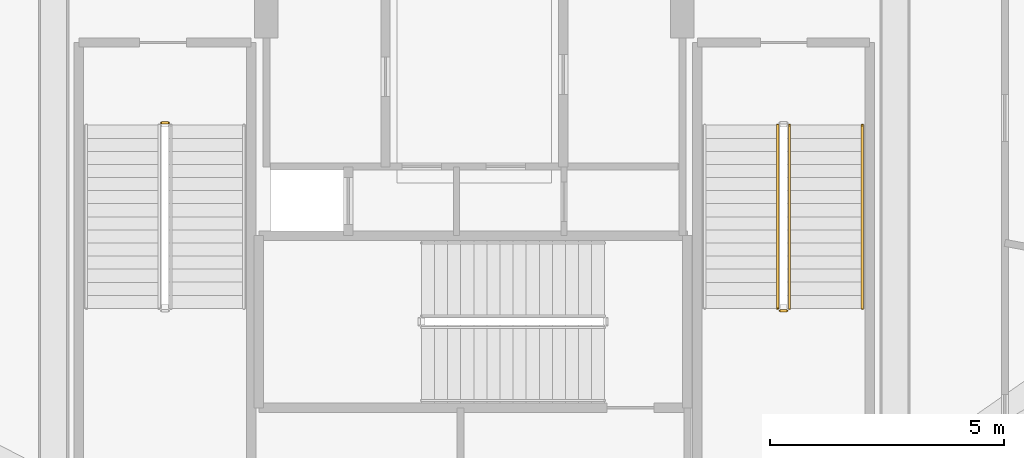
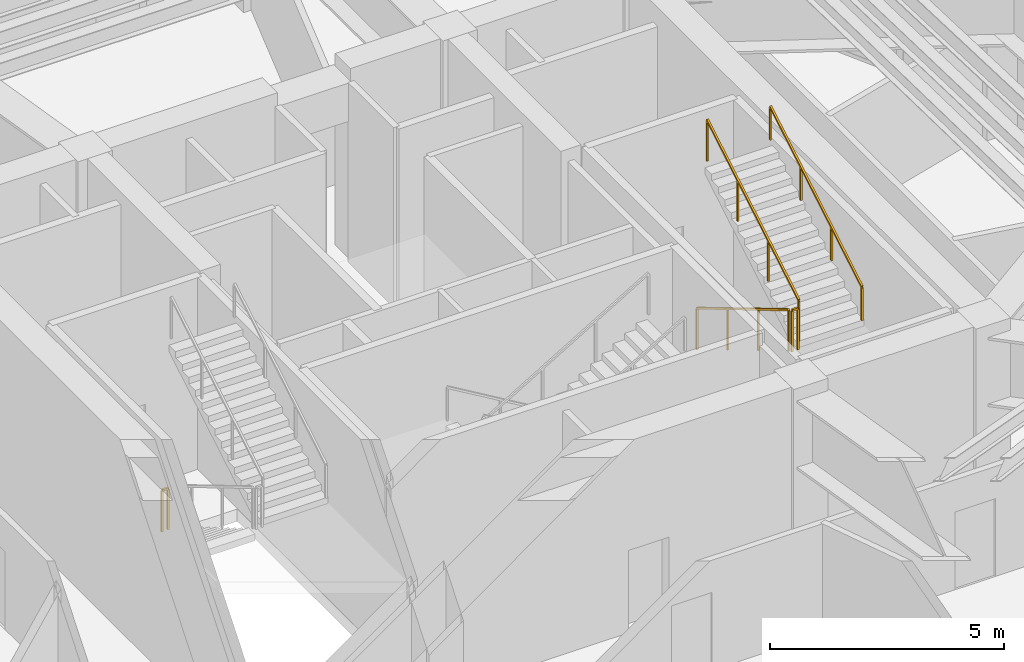
# One storey, part 22 of 24: 5 railings.
"""IFC4 building model written with IfcOpenShell, lengths in metres."""

from ifc_helpers import new_model, si_unit, direction, frame, origin, origin_2d, place, context, subcontext, project, spatial, rectangle, extrude, material, layer, layer_set, type_object, element, save


model = new_model("IFC4")

# Units and contexts
model_context = context("Model", 3, precision=1e-05, world=origin(), true_north=direction((0.0, 1.0)))
body_context = subcontext(model_context, "Body", "Model", "MODEL_VIEW")
ifc_project = project(units=[si_unit("LENGTHUNIT", "METRE"), si_unit("AREAUNIT", "SQUARE_METRE"), si_unit("VOLUMEUNIT", "CUBIC_METRE"), si_unit("PLANEANGLEUNIT", "RADIAN"), si_unit("MASSUNIT", "GRAM", prefix="KILO")], contexts=[model_context])

# Site, building, storey
site_placement = place(None, origin())
site = spatial("IfcSite", under=ifc_project, at=site_placement, CompositionType="ELEMENT")
building_placement = place(site_placement, origin())
building = spatial("IfcBuilding", under=site, at=building_placement, Name="Kilnhurst Terrace Hotel", CompositionType="ELEMENT")
storey_placement = place(building_placement, frame((0.0, 0.0, 305.39990234375)))
storey = spatial("IfcBuildingStorey", under=building, at=storey_placement, Name="L76", CompositionType="ELEMENT", Elevation=305.39990234375)

# Railings
ifc_material_1 = material(Name="Powder-Coated Steel ASTM A500 Grade B", Category="steel")
ifc_layer_1 = layer(ifc_material_1, 0.050048828125, Name="Powder-Coated Steel ASTM A500 Grade B")
ifc_layer_set_1 = layer_set([ifc_layer_1], Name="Powder-Coated Steel ASTM A500 Grade B")
railing_type_1 = type_object("IfcRailingType", Name="RLG-ST-GRD-1100", PredefinedType="GUARDRAIL", material=ifc_layer_set_1)
railing_1_placement = place(storey_placement, frame((-6.68994140625, 0.43994140625, 0.0)))
element("IfcRailing", 1, at=railing_1_placement, inside=storey, type_object=railing_type_1, Name="L76 ST-1 stair guard 4", PredefinedType="GUARDRAIL", context=body_context, shape_type="SweptSolid", body=[
    extrude(rectangle(XDim=0.048095703125, YDim=0.048095703125, at=origin_2d()), frame((0.0, 0.0, 1.076171875), z_axis=(1.0, 0.0, 0.0), x_axis=(0.0, 1.0, 0.0)), (0.0, 0.0, 1.0), 0.14990234375),
    extrude(rectangle(XDim=0.0419921875, YDim=0.0419921875, at=origin_2d()), origin(), (0.0, 0.0, 1.0), 1.052001953125),
    extrude(rectangle(XDim=0.0419921875, YDim=0.0419921875, at=origin_2d()), frame((0.14990234375, 0.0, 0.0)), (0.0, 0.0, 1.0), 1.052001953125),
])
railing_2_placement = place(storey_placement, frame((6.489990234375, 0.389892578125, 0.166748046875)))
element("IfcRailing", 2, at=railing_2_placement, inside=storey, type_object=railing_type_1, Name="L76 ST-2 stair guard 1", PredefinedType="GUARDRAIL", context=body_context, shape_type="SweptSolid", body=[
    extrude(rectangle(XDim=0.048095703125, YDim=0.048095703125, at=origin_2d()), frame((0.0, 0.0, 1.076171875), z_axis=(0.0, -0.859296244711, 0.511478214419), x_axis=(1.0, 0.0, 0.0)), (0.0, 0.0, 1.0), 4.561767578125),
    extrude(rectangle(XDim=0.0419921875, YDim=0.0419921875, at=origin_2d()), origin(), (0.0, 0.0, 1.0), 1.052001953125),
    extrude(rectangle(XDim=0.0419921875, YDim=0.0419921875, at=origin_2d()), frame((0.0, -1.306640625, 0.77783203125)), (0.0, 0.0, 1.0), 1.052001953125),
    extrude(rectangle(XDim=0.0419921875, YDim=0.0419921875, at=origin_2d()), frame((0.0, -2.61328125, 1.555419921875)), (0.0, 0.0, 1.0), 1.052001953125),
    extrude(rectangle(XDim=0.0419921875, YDim=0.0419921875, at=origin_2d()), frame((0.0, -3.919921875, 2.333251953125)), (0.0, 0.0, 1.0), 1.052001953125),
])
railing_3_placement = place(storey_placement, frame((6.5400390625, -3.580078125, 2.5)))
element("IfcRailing", 3, at=railing_3_placement, inside=storey, type_object=railing_type_1, Name="L76 ST-2 stair guard 2", PredefinedType="GUARDRAIL", context=body_context, shape_type="SweptSolid", body=[
    extrude(rectangle(XDim=0.048095703125, YDim=0.048095703125, at=origin_2d()), frame((0.0, 0.0, 1.076171875), z_axis=(1.0, 0.0, 0.0), x_axis=(0.0, 1.0, 0.0)), (0.0, 0.0, 1.0), 0.14990234375),
    extrude(rectangle(XDim=0.0419921875, YDim=0.0419921875, at=origin_2d()), origin(), (0.0, 0.0, 1.0), 1.052001953125),
    extrude(rectangle(XDim=0.0419921875, YDim=0.0419921875, at=origin_2d()), frame((0.14990234375, 0.0, 0.0)), (0.0, 0.0, 1.0), 1.052001953125),
])
railing_4_placement = place(storey_placement, frame((6.739990234375, -3.530029296875, 2.666748046875)))
element("IfcRailing", 4, at=railing_4_placement, inside=storey, type_object=railing_type_1, Name="L76 ST-2 stair guard 3", PredefinedType="GUARDRAIL", context=body_context, shape_type="SweptSolid", body=[
    extrude(rectangle(XDim=0.048095703125, YDim=0.048095703125, at=origin_2d()), frame((0.0, 0.0, 1.076171875), z_axis=(0.0, 0.859296244711, 0.511478214419), x_axis=(-1.0, 0.0, 0.0)), (0.0, 0.0, 1.0), 4.561767578125),
    extrude(rectangle(XDim=0.0419921875, YDim=0.0419921875, at=origin_2d()), origin(), (0.0, 0.0, 1.0), 1.052001953125),
    extrude(rectangle(XDim=0.0419921875, YDim=0.0419921875, at=origin_2d()), frame((0.0, 1.306640625, 0.77783203125)), (0.0, 0.0, 1.0), 1.052001953125),
    extrude(rectangle(XDim=0.0419921875, YDim=0.0419921875, at=origin_2d()), frame((0.0, 2.61328125, 1.555419921875)), (0.0, 0.0, 1.0), 1.052001953125),
    extrude(rectangle(XDim=0.0419921875, YDim=0.0419921875, at=origin_2d()), frame((0.0, 3.919921875, 2.333251953125)), (0.0, 0.0, 1.0), 1.052001953125),
])
ifc_material_2 = material(Name="Brushed Stainless Steel AISI 304", Category="steel")
ifc_layer_2 = layer(ifc_material_2, 0.048095703125, Name="Brushed Stainless Steel AISI 304")
ifc_layer_set_2 = layer_set([ifc_layer_2], Name="Brushed Stainless Steel AISI 304")
railing_type_2 = type_object("IfcRailingType", Name="RLG-ST-HRL-900", PredefinedType="HANDRAIL", material=ifc_layer_set_2)
railing_5_placement = place(storey_placement, frame((8.300048828125, -3.530029296875, 2.666748046875)))
element("IfcRailing", 5, at=railing_5_placement, inside=storey, type_object=railing_type_2, Name="L76 ST-2 stair handrail 2", PredefinedType="HANDRAIL", context=body_context, shape_type="SweptSolid", body=[
    extrude(rectangle(XDim=0.048095703125, YDim=0.048095703125, at=origin_2d()), frame((0.0, 0.0, 0.8759765625), z_axis=(0.0, 0.859296244711, 0.511478214419), x_axis=(-1.0, 0.0, 0.0)), (0.0, 0.0, 1.0), 4.561767578125),
    extrude(rectangle(XDim=0.0419921875, YDim=0.0419921875, at=origin_2d()), origin(), (0.0, 0.0, 1.0), 0.851806640625),
    extrude(rectangle(XDim=0.0419921875, YDim=0.0419921875, at=origin_2d()), frame((0.0, 1.306640625, 0.77783203125)), (0.0, 0.0, 1.0), 0.851806640625),
    extrude(rectangle(XDim=0.0419921875, YDim=0.0419921875, at=origin_2d()), frame((0.0, 2.61328125, 1.555419921875)), (0.0, 0.0, 1.0), 0.851806640625),
    extrude(rectangle(XDim=0.0419921875, YDim=0.0419921875, at=origin_2d()), frame((0.0, 3.919921875, 2.333251953125)), (0.0, 0.0, 1.0), 0.851806640625),
])

save(model, "model.ifc")
